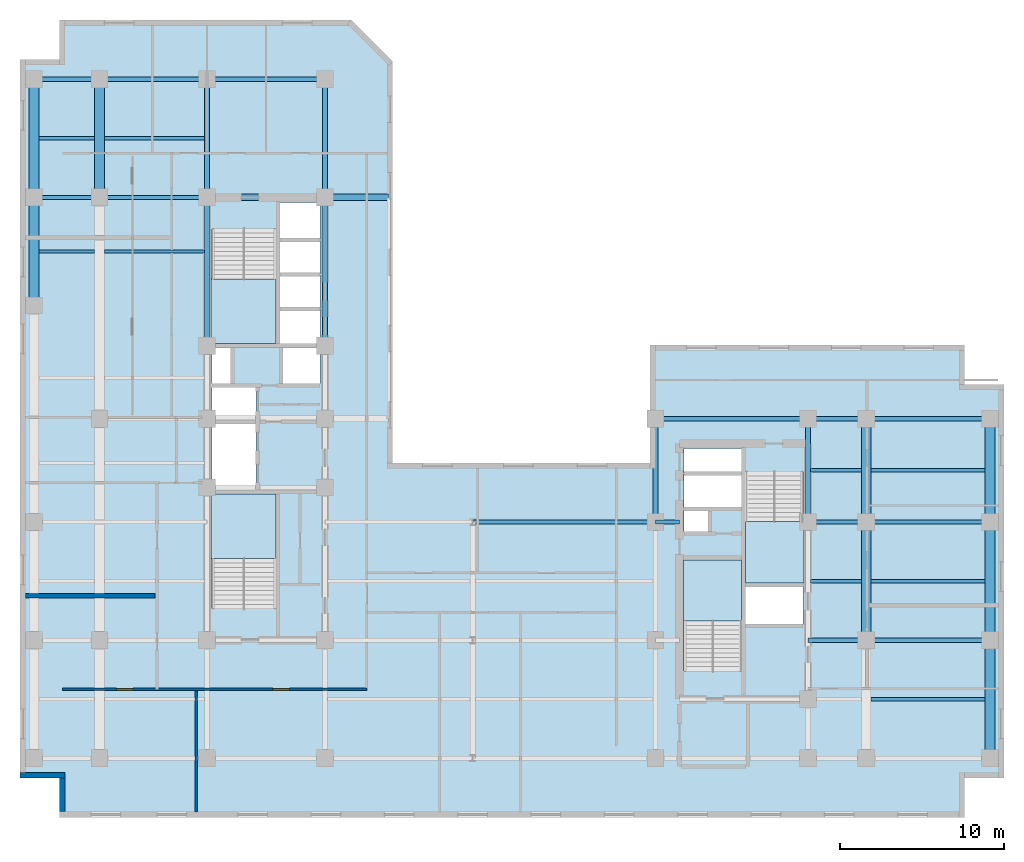
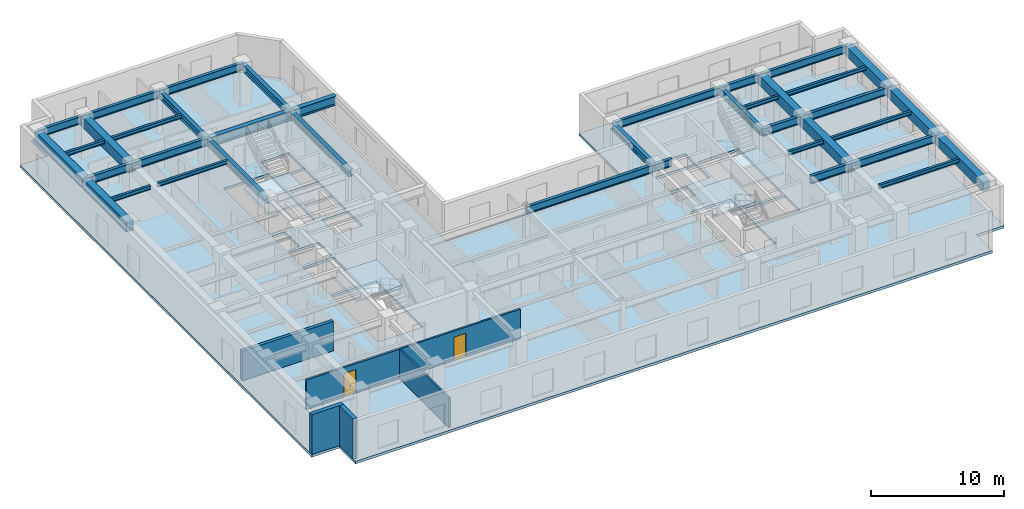
# One storey, part 2 of 10: 38 beams, 5 slabs, 5 walls, 2 doors, 2 openings, 4 elements without a shape of their own.
"""IFC4 building model written with IfcOpenShell, lengths in metres."""

from ifc_helpers import new_model, entity, si_unit, converted_unit, direction, frame, origin_with_axes, origin_2d_with_axis, place, context, subcontext, project, spatial, polyline, rectangle, i_section, outline, extrude, material, layer, layer_set, material_profile, profile_set, type_object, element, fill, aggregate, save


model = new_model("IFC4")

# Units and contexts
model_context = context("Model", 3, precision=1e-05, world=origin_with_axes(), true_north=direction((0.0, 1.0)))
body_context = subcontext(model_context, "Body", "Model", "MODEL_VIEW")
ifc_project = project(units=[si_unit("LENGTHUNIT", "METRE"), si_unit("AREAUNIT", "SQUARE_METRE"), si_unit("VOLUMEUNIT", "CUBIC_METRE"), converted_unit("PLANEANGLEUNIT", "DEGREE", entity("IfcPlaneAngleMeasure", 0.017453292519943295), si_unit("PLANEANGLEUNIT", "RADIAN"), dimensions=[0, 0, 0, 0, 0, 0, 0]), si_unit("MASSUNIT", "GRAM", prefix="KILO"), si_unit("THERMODYNAMICTEMPERATUREUNIT", "KELVIN")], contexts=[model_context])

# Site, building, storey
site_placement = place(None, origin_with_axes())
site = spatial("IfcSite", under=ifc_project, at=site_placement, CompositionType="ELEMENT")
building_placement = place(site_placement, origin_with_axes())
building = spatial("IfcBuilding", under=site, at=building_placement, Name="Varnlund Millrace Tower", CompositionType="ELEMENT")
storey_placement = place(building_placement, frame((0.0, 0.0, 152.4), z_axis=(0.0, 0.0, 1.0), x_axis=(1.0, 0.0, 0.0)))
storey = spatial("IfcBuildingStorey", under=building, at=storey_placement, Name="L37", CompositionType="ELEMENT", Elevation=152.4)

# Beams
ifc_material_1 = material(Name="Steel ASTM A992 Grade 50", Category="steel")
ifc_material_profile_1 = material_profile(ifc_material_1, i_section(OverallWidth=0.328, OverallDepth=0.628, WebThickness=0.0165, FlangeThickness=0.0277, FilletRadius=0.018, at=origin_2d_with_axis()), Name="Steel ASTM A992 Grade 50")
ifc_profile_set_1 = profile_set([ifc_material_profile_1], Name="Steel ASTM A992 Grade 50")
beam_type_1 = type_object("IfcBeamType", Name="Type-Girder-W24X146", PredefinedType="USERDEFINED", material=ifc_profile_set_1)
beam_1_placement = place(storey_placement, frame((11.4, 28.75, 3.346), z_axis=(0.0, 1.0, 0.0), x_axis=(-1.0, 0.0, 0.0)))
element("IfcBeam", 1, at=beam_1_placement, inside=storey, type_object=beam_type_1, Name="Type-Girder-W24X146", ObjectType="GIRDER", PredefinedType="USERDEFINED", context=body_context, shape_type="SweptSolid", body=[
    extrude(i_section(OverallWidth=0.328, OverallDepth=0.628, WebThickness=0.0165, FlangeThickness=0.0277, FilletRadius=0.018, at=origin_2d_with_axis()), origin_with_axes(), (0.0, 0.0, 1.0), 9.05),
])
beam_2_placement = place(storey_placement, frame((11.4, 37.8, 3.346), z_axis=(0.0, 1.0, 0.0), x_axis=(-1.0, 0.0, 0.0)))
element("IfcBeam", 2, at=beam_2_placement, inside=storey, type_object=beam_type_1, Name="Type-Girder-W24X146", ObjectType="GIRDER", PredefinedType="USERDEFINED", context=body_context, shape_type="SweptSolid", body=[
    extrude(i_section(OverallWidth=0.328, OverallDepth=0.628, WebThickness=0.0165, FlangeThickness=0.0277, FilletRadius=0.018, at=origin_2d_with_axis()), origin_with_axes(), (0.0, 0.0, 1.0), 7.2),
])
beam_3_placement = place(storey_placement, frame((18.6, 28.75, 3.346), z_axis=(0.0, 1.0, 0.0), x_axis=(-1.0, 0.0, 0.0)))
element("IfcBeam", 3, at=beam_3_placement, inside=storey, type_object=beam_type_1, Name="Type-Girder-W24X146", ObjectType="GIRDER", PredefinedType="USERDEFINED", context=body_context, shape_type="SweptSolid", body=[
    extrude(i_section(OverallWidth=0.328, OverallDepth=0.628, WebThickness=0.0165, FlangeThickness=0.0277, FilletRadius=0.018, at=origin_2d_with_axis()), origin_with_axes(), (0.0, 0.0, 1.0), 9.05),
])
beam_4_placement = place(storey_placement, frame((18.6, 37.8, 3.346), z_axis=(0.0, 1.0, 0.0), x_axis=(-1.0, 0.0, 0.0)))
element("IfcBeam", 4, at=beam_4_placement, inside=storey, type_object=beam_type_1, Name="Type-Girder-W24X146", ObjectType="GIRDER", PredefinedType="USERDEFINED", context=body_context, shape_type="SweptSolid", body=[
    extrude(i_section(OverallWidth=0.328, OverallDepth=0.628, WebThickness=0.0165, FlangeThickness=0.0277, FilletRadius=0.018, at=origin_2d_with_axis()), origin_with_axes(), (0.0, 0.0, 1.0), 7.2),
])
for number, where, z_axis, x_axis, name in (
    (5, (38.75, 18.0, 3.346), (0.0, 1.0, 0.0), (-1.0, 0.0, 0.0), "Type-Girder-W24X146"),
    (6, (48.05, 18.0, 3.346), (0.0, 1.0, 0.0), (-1.0, 0.0, 0.0), "Type-Girder-W24X146"),
):
    element("IfcBeam", number, at=place(storey_placement, frame(where, z_axis=z_axis, x_axis=x_axis)), inside=storey, type_object=beam_type_1, Name=name, ObjectType="GIRDER", PredefinedType="USERDEFINED", context=body_context, shape_type="SweptSolid", body=[
        extrude(i_section(OverallWidth=0.328, OverallDepth=0.628, WebThickness=0.0165, FlangeThickness=0.0277, FilletRadius=0.018, at=origin_2d_with_axis()), origin_with_axes(), (0.0, 0.0, 1.0), 6.3),
    ])
ifc_material_profile_2 = material_profile(ifc_material_1, i_section(OverallWidth=0.256, OverallDepth=0.693, WebThickness=0.0145, FlangeThickness=0.0236, FilletRadius=0.018, at=origin_2d_with_axis()), Name="Steel ASTM A992 Grade 50")
ifc_profile_set_2 = profile_set([ifc_material_profile_2], Name="Steel ASTM A992 Grade 50")
beam_type_2 = type_object("IfcBeamType", Name="Type-Girder-W27X114", PredefinedType="USERDEFINED", material=ifc_profile_set_2)
beam_5_placement = place(storey_placement, frame((48.05, 10.8, 3.3135), z_axis=(1.0, 0.0, 0.0), x_axis=(0.0, 1.0, 0.0)))
element("IfcBeam", 7, at=beam_5_placement, inside=storey, type_object=beam_type_2, Name="Type-Girder-W27X114", ObjectType="GIRDER", PredefinedType="USERDEFINED", context=body_context, shape_type="SweptSolid", body=[
    extrude(i_section(OverallWidth=0.256, OverallDepth=0.693, WebThickness=0.0145, FlangeThickness=0.0236, FilletRadius=0.018, at=origin_2d_with_axis()), origin_with_axes(), (0.0, 0.0, 1.0), 3.55),
])
beam_6_placement = place(storey_placement, frame((51.6, 10.8, 3.3135), z_axis=(1.0, 0.0, 0.0), x_axis=(0.0, 1.0, 0.0)))
element("IfcBeam", 8, at=beam_6_placement, inside=storey, type_object=beam_type_2, Name="Type-Girder-W27X114", ObjectType="GIRDER", PredefinedType="USERDEFINED", context=body_context, shape_type="SweptSolid", body=[
    extrude(i_section(OverallWidth=0.256, OverallDepth=0.693, WebThickness=0.0145, FlangeThickness=0.0236, FilletRadius=0.018, at=origin_2d_with_axis()), origin_with_axes(), (0.0, 0.0, 1.0), 7.55),
])
beam_7_placement = place(storey_placement, frame((27.6, 18.0, 3.3135), z_axis=(1.0, 0.0, 0.0), x_axis=(0.0, 1.0, 0.0)))
element("IfcBeam", 9, at=beam_7_placement, inside=storey, type_object=beam_type_2, Name="Type-Girder-W27X114", ObjectType="GIRDER", PredefinedType="USERDEFINED", context=body_context, shape_type="SweptSolid", body=[
    extrude(i_section(OverallWidth=0.256, OverallDepth=0.693, WebThickness=0.0145, FlangeThickness=0.0236, FilletRadius=0.018, at=origin_2d_with_axis()), origin_with_axes(), (0.0, 0.0, 1.0), 11.15),
])
beam_8_placement = place(storey_placement, frame((38.75, 18.0, 3.3135), z_axis=(1.0, 0.0, 0.0), x_axis=(0.0, 1.0, 0.0)))
element("IfcBeam", 10, at=beam_8_placement, inside=storey, type_object=beam_type_2, Name="Type-Girder-W27X114", ObjectType="GIRDER", PredefinedType="USERDEFINED", context=body_context, shape_type="SweptSolid", body=[
    extrude(i_section(OverallWidth=0.256, OverallDepth=0.693, WebThickness=0.0145, FlangeThickness=0.0236, FilletRadius=0.018, at=origin_2d_with_axis()), origin_with_axes(), (0.0, 0.0, 1.0), 1.45),
])
beam_9_placement = place(storey_placement, frame((48.05, 18.0, 3.3135), z_axis=(1.0, 0.0, 0.0), x_axis=(0.0, 1.0, 0.0)))
element("IfcBeam", 11, at=beam_9_placement, inside=storey, type_object=beam_type_2, Name="Type-Girder-W27X114", ObjectType="GIRDER", PredefinedType="USERDEFINED", context=body_context, shape_type="SweptSolid", body=[
    extrude(i_section(OverallWidth=0.256, OverallDepth=0.693, WebThickness=0.0145, FlangeThickness=0.0236, FilletRadius=0.018, at=origin_2d_with_axis()), origin_with_axes(), (0.0, 0.0, 1.0), 3.55),
])
beam_10_placement = place(storey_placement, frame((51.6, 18.0, 3.3135), z_axis=(1.0, 0.0, 0.0), x_axis=(0.0, 1.0, 0.0)))
element("IfcBeam", 12, at=beam_10_placement, inside=storey, type_object=beam_type_2, Name="Type-Girder-W27X114", ObjectType="GIRDER", PredefinedType="USERDEFINED", context=body_context, shape_type="SweptSolid", body=[
    extrude(i_section(OverallWidth=0.256, OverallDepth=0.693, WebThickness=0.0145, FlangeThickness=0.0236, FilletRadius=0.018, at=origin_2d_with_axis()), origin_with_axes(), (0.0, 0.0, 1.0), 7.55),
])
beam_11_placement = place(storey_placement, frame((38.75, 24.3, 3.3135), z_axis=(1.0, 0.0, 0.0), x_axis=(0.0, 1.0, 0.0)))
element("IfcBeam", 13, at=beam_11_placement, inside=storey, type_object=beam_type_2, Name="Type-Girder-W27X114", ObjectType="GIRDER", PredefinedType="USERDEFINED", context=body_context, shape_type="SweptSolid", body=[
    extrude(i_section(OverallWidth=0.256, OverallDepth=0.693, WebThickness=0.0145, FlangeThickness=0.0236, FilletRadius=0.018, at=origin_2d_with_axis()), origin_with_axes(), (0.0, 0.0, 1.0), 9.3),
])
beam_12_placement = place(storey_placement, frame((48.05, 24.3, 3.3135), z_axis=(1.0, 0.0, 0.0), x_axis=(0.0, 1.0, 0.0)))
element("IfcBeam", 14, at=beam_12_placement, inside=storey, type_object=beam_type_2, Name="Type-Girder-W27X114", ObjectType="GIRDER", PredefinedType="USERDEFINED", context=body_context, shape_type="SweptSolid", body=[
    extrude(i_section(OverallWidth=0.256, OverallDepth=0.693, WebThickness=0.0145, FlangeThickness=0.0236, FilletRadius=0.018, at=origin_2d_with_axis()), origin_with_axes(), (0.0, 0.0, 1.0), 3.55),
])
beam_13_placement = place(storey_placement, frame((51.6, 24.3, 3.3135), z_axis=(1.0, 0.0, 0.0), x_axis=(0.0, 1.0, 0.0)))
element("IfcBeam", 15, at=beam_13_placement, inside=storey, type_object=beam_type_2, Name="Type-Girder-W27X114", ObjectType="GIRDER", PredefinedType="USERDEFINED", context=body_context, shape_type="SweptSolid", body=[
    extrude(i_section(OverallWidth=0.256, OverallDepth=0.693, WebThickness=0.0145, FlangeThickness=0.0236, FilletRadius=0.018, at=origin_2d_with_axis()), origin_with_axes(), (0.0, 0.0, 1.0), 7.55),
])
beam_14_placement = place(storey_placement, frame((0.85, 37.8, 3.3135), z_axis=(1.0, 0.0, 0.0), x_axis=(0.0, 1.0, 0.0)))
element("IfcBeam", 16, at=beam_14_placement, inside=storey, type_object=beam_type_2, Name="Type-Girder-W27X114", ObjectType="GIRDER", PredefinedType="USERDEFINED", context=body_context, shape_type="SweptSolid", body=[
    extrude(i_section(OverallWidth=0.256, OverallDepth=0.693, WebThickness=0.0145, FlangeThickness=0.0236, FilletRadius=0.018, at=origin_2d_with_axis()), origin_with_axes(), (0.0, 0.0, 1.0), 4.0),
])
beam_15_placement = place(storey_placement, frame((4.85, 37.8, 3.3135), z_axis=(1.0, 0.0, 0.0), x_axis=(0.0, 1.0, 0.0)))
element("IfcBeam", 17, at=beam_15_placement, inside=storey, type_object=beam_type_2, Name="Type-Girder-W27X114", ObjectType="GIRDER", PredefinedType="USERDEFINED", context=body_context, shape_type="SweptSolid", body=[
    extrude(i_section(OverallWidth=0.256, OverallDepth=0.693, WebThickness=0.0145, FlangeThickness=0.0236, FilletRadius=0.018, at=origin_2d_with_axis()), origin_with_axes(), (0.0, 0.0, 1.0), 6.55),
])
beam_16_placement = place(storey_placement, frame((0.85, 45.0, 3.3135), z_axis=(1.0, 0.0, 0.0), x_axis=(0.0, 1.0, 0.0)))
element("IfcBeam", 18, at=beam_16_placement, inside=storey, type_object=beam_type_2, Name="Type-Girder-W27X114", ObjectType="GIRDER", PredefinedType="USERDEFINED", context=body_context, shape_type="SweptSolid", body=[
    extrude(i_section(OverallWidth=0.256, OverallDepth=0.693, WebThickness=0.0145, FlangeThickness=0.0236, FilletRadius=0.018, at=origin_2d_with_axis()), origin_with_axes(), (0.0, 0.0, 1.0), 4.0),
])
beam_17_placement = place(storey_placement, frame((4.85, 45.0, 3.3135), z_axis=(1.0, 0.0, 0.0), x_axis=(0.0, 1.0, 0.0)))
element("IfcBeam", 19, at=beam_17_placement, inside=storey, type_object=beam_type_2, Name="Type-Girder-W27X114", ObjectType="GIRDER", PredefinedType="USERDEFINED", context=body_context, shape_type="SweptSolid", body=[
    extrude(i_section(OverallWidth=0.256, OverallDepth=0.693, WebThickness=0.0145, FlangeThickness=0.0236, FilletRadius=0.018, at=origin_2d_with_axis()), origin_with_axes(), (0.0, 0.0, 1.0), 6.55),
])
beam_18_placement = place(storey_placement, frame((11.4, 45.0, 3.3135), z_axis=(1.0, 0.0, 0.0), x_axis=(0.0, 1.0, 0.0)))
element("IfcBeam", 20, at=beam_18_placement, inside=storey, type_object=beam_type_2, Name="Type-Girder-W27X114", ObjectType="GIRDER", PredefinedType="USERDEFINED", context=body_context, shape_type="SweptSolid", body=[
    extrude(i_section(OverallWidth=0.256, OverallDepth=0.693, WebThickness=0.0145, FlangeThickness=0.0236, FilletRadius=0.018, at=origin_2d_with_axis()), origin_with_axes(), (0.0, 0.0, 1.0), 7.2),
])
ifc_material_profile_3 = material_profile(ifc_material_1, i_section(OverallWidth=0.399, OverallDepth=0.855, WebThickness=0.0182, FlangeThickness=0.0292, FilletRadius=0.022, at=origin_2d_with_axis()), Name="Steel ASTM A992 Grade 50")
ifc_profile_set_3 = profile_set([ifc_material_profile_3], Name="Steel ASTM A992 Grade 50")
beam_type_3 = type_object("IfcBeamType", Name="Type-Girder-W33X201", PredefinedType="USERDEFINED", material=ifc_profile_set_3)
beam_19_placement = place(storey_placement, frame((11.4, 37.8, 3.2325), z_axis=(1.0, 0.0, 0.0), x_axis=(0.0, 1.0, 0.0)))
element("IfcBeam", 21, at=beam_19_placement, inside=storey, type_object=beam_type_3, Name="Type-Girder-W33X201", ObjectType="GIRDER", PredefinedType="USERDEFINED", context=body_context, shape_type="SweptSolid", body=[
    extrude(i_section(OverallWidth=0.399, OverallDepth=0.855, WebThickness=0.0182, FlangeThickness=0.0292, FilletRadius=0.022, at=origin_2d_with_axis()), origin_with_axes(), (0.0, 0.0, 1.0), 11.077),
])
ifc_material_profile_4 = material_profile(ifc_material_1, i_section(OverallWidth=0.204, OverallDepth=0.35, WebThickness=0.0086, FlangeThickness=0.0151, FilletRadius=0.013, at=origin_2d_with_axis()), Name="Steel ASTM A992 Grade 50")
ifc_profile_set_4 = profile_set([ifc_material_profile_4], Name="Steel ASTM A992 Grade 50")
beam_type_4 = type_object("IfcBeamType", Name="Type-Joist-W14X48", PredefinedType="JOIST", material=ifc_profile_set_4)
for number, where, z_axis, x_axis, name in (
    (22, (1.15, 34.5, 3.485), (1.0, 0.0, 0.0), (0.0, 1.0, 0.0), "Type-Joist-W14X48"),
    (23, (1.15, 41.4, 3.485), (1.0, 0.0, 0.0), (0.0, 1.0, 0.0), "Type-Joist-W14X48"),
):
    element("IfcBeam", number, at=place(storey_placement, frame(where, z_axis=z_axis, x_axis=x_axis)), inside=storey, type_object=beam_type_4, Name=name, PredefinedType="JOIST", context=body_context, shape_type="SweptSolid", body=[
        extrude(i_section(OverallWidth=0.204, OverallDepth=0.35, WebThickness=0.0086, FlangeThickness=0.0151, FilletRadius=0.013, at=origin_2d_with_axis()), origin_with_axes(), (0.0, 0.0, 1.0), 3.4),
    ])
for number, where, z_axis, x_axis, name in (
    (24, (5.15, 34.5, 3.485), (1.0, 0.0, 0.0), (0.0, 1.0, 0.0), "Type-Joist-W14X48"),
    (25, (5.15, 41.4, 3.485), (1.0, 0.0, 0.0), (0.0, 1.0, 0.0), "Type-Joist-W14X48"),
):
    element("IfcBeam", number, at=place(storey_placement, frame(where, z_axis=z_axis, x_axis=x_axis)), inside=storey, type_object=beam_type_4, Name=name, PredefinedType="JOIST", context=body_context, shape_type="SweptSolid", body=[
        extrude(i_section(OverallWidth=0.204, OverallDepth=0.35, WebThickness=0.0086, FlangeThickness=0.0151, FilletRadius=0.013, at=origin_2d_with_axis()), origin_with_axes(), (0.0, 0.0, 1.0), 6.086),
    ])
for number, where, z_axis, x_axis, name in (
    (26, (48.214, 14.4, 3.485), (1.0, 0.0, 0.0), (0.0, 1.0, 0.0), "Type-Joist-W14X48"),
    (27, (48.214, 21.15, 3.485), (1.0, 0.0, 0.0), (0.0, 1.0, 0.0), "Type-Joist-W14X48"),
):
    element("IfcBeam", number, at=place(storey_placement, frame(where, z_axis=z_axis, x_axis=x_axis)), inside=storey, type_object=beam_type_4, Name=name, PredefinedType="JOIST", context=body_context, shape_type="SweptSolid", body=[
        extrude(i_section(OverallWidth=0.204, OverallDepth=0.35, WebThickness=0.0086, FlangeThickness=0.0151, FilletRadius=0.013, at=origin_2d_with_axis()), origin_with_axes(), (0.0, 0.0, 1.0), 3.086),
    ])
for number, where, z_axis, x_axis, name in (
    (28, (51.9, 7.2, 3.485), (1.0, 0.0, 0.0), (0.0, 1.0, 0.0), "Type-Joist-W14X48"),
    (29, (51.9, 14.4, 3.485), (1.0, 0.0, 0.0), (0.0, 1.0, 0.0), "Type-Joist-W14X48"),
    (30, (51.9, 21.15, 3.485), (1.0, 0.0, 0.0), (0.0, 1.0, 0.0), "Type-Joist-W14X48"),
):
    element("IfcBeam", number, at=place(storey_placement, frame(where, z_axis=z_axis, x_axis=x_axis)), inside=storey, type_object=beam_type_4, Name=name, PredefinedType="JOIST", context=body_context, shape_type="SweptSolid", body=[
        extrude(i_section(OverallWidth=0.204, OverallDepth=0.35, WebThickness=0.0086, FlangeThickness=0.0151, FilletRadius=0.013, at=origin_2d_with_axis()), origin_with_axes(), (0.0, 0.0, 1.0), 6.95),
    ])
ifc_material_2 = material(Name="Concrete C70/85", Category="concrete")
ifc_material_profile_5 = material_profile(ifc_material_2, rectangle(XDim=0.6, YDim=0.9, at=origin_2d_with_axis()), Name="Concrete C70/85")
ifc_profile_set_5 = profile_set([ifc_material_profile_5], Name="Concrete C70/85")
beam_type_5 = type_object("IfcBeamType", Name="Type-Spandrel-RC600X900", PredefinedType="SPANDREL", material=ifc_profile_set_5)
beam_20_placement = place(storey_placement, frame((0.85, 31.2, 3.21), z_axis=(0.0, 1.0, 0.0), x_axis=(-1.0, 0.0, 0.0)))
element("IfcBeam", 31, at=beam_20_placement, inside=storey, type_object=beam_type_5, Name="Type-Spandrel-RC600X900", PredefinedType="SPANDREL", context=body_context, shape_type="SweptSolid", body=[
    extrude(rectangle(XDim=0.6, YDim=0.9, at=origin_2d_with_axis()), origin_with_axes(), (0.0, 0.0, 1.0), 6.6),
])
for number, where, z_axis, x_axis, name in (
    (32, (0.85, 37.8, 3.21), (0.0, 1.0, 0.0), (-1.0, 0.0, 0.0), "Type-Spandrel-RC600X900"),
    (33, (4.85, 37.8, 3.21), (0.0, 1.0, 0.0), (-1.0, 0.0, 0.0), "Type-Spandrel-RC600X900"),
    (34, (51.6, 10.8, 3.21), (0.0, 1.0, 0.0), (-1.0, 0.0, 0.0), "Type-Spandrel-RC600X900"),
):
    element("IfcBeam", number, at=place(storey_placement, frame(where, z_axis=z_axis, x_axis=x_axis)), inside=storey, type_object=beam_type_5, Name=name, PredefinedType="SPANDREL", context=body_context, shape_type="SweptSolid", body=[
        extrude(rectangle(XDim=0.6, YDim=0.9, at=origin_2d_with_axis()), origin_with_axes(), (0.0, 0.0, 1.0), 7.2),
    ])
beam_21_placement = place(storey_placement, frame((51.6, 18.0, 3.21), z_axis=(0.0, 1.0, 0.0), x_axis=(-1.0, 0.0, 0.0)))
element("IfcBeam", 35, at=beam_21_placement, inside=storey, type_object=beam_type_5, Name="Type-Spandrel-RC600X900", PredefinedType="SPANDREL", context=body_context, shape_type="SweptSolid", body=[
    extrude(rectangle(XDim=0.6, YDim=0.9, at=origin_2d_with_axis()), origin_with_axes(), (0.0, 0.0, 1.0), 6.3),
])
for number, where, z_axis, x_axis, name in (
    (36, (59.15, 3.6, 3.21), (0.0, 1.0, 0.0), (-1.0, 0.0, 0.0), "Type-Spandrel-RC600X900"),
    (37, (59.15, 10.8, 3.21), (0.0, 1.0, 0.0), (-1.0, 0.0, 0.0), "Type-Spandrel-RC600X900"),
):
    element("IfcBeam", number, at=place(storey_placement, frame(where, z_axis=z_axis, x_axis=x_axis)), inside=storey, type_object=beam_type_5, Name=name, PredefinedType="SPANDREL", context=body_context, shape_type="SweptSolid", body=[
        extrude(rectangle(XDim=0.6, YDim=0.9, at=origin_2d_with_axis()), origin_with_axes(), (0.0, 0.0, 1.0), 7.2),
    ])
beam_22_placement = place(storey_placement, frame((59.15, 18.0, 3.21), z_axis=(0.0, 1.0, 0.0), x_axis=(-1.0, 0.0, 0.0)))
element("IfcBeam", 38, at=beam_22_placement, inside=storey, type_object=beam_type_5, Name="Type-Spandrel-RC600X900", PredefinedType="SPANDREL", context=body_context, shape_type="SweptSolid", body=[
    extrude(rectangle(XDim=0.6, YDim=0.9, at=origin_2d_with_axis()), origin_with_axes(), (0.0, 0.0, 1.0), 6.3),
])

# Slab
ifc_material_3 = material(Name="Concrete C60/75", Category="concrete")
ifc_layer_1 = layer(ifc_material_3, 0.24, Name="Concrete C60/75")
ifc_layer_set_1 = layer_set([ifc_layer_1], Name="Concrete C60/75")
slab_type_1 = type_object("IfcSlabType", Name="Type-Deck-Plate-Typical-240", PredefinedType="FLOOR", material=ifc_layer_set_1)
slab_1_placement = place(storey_placement, frame((0.0, 0.0, -0.24), z_axis=(0.0, 0.0, 1.0), x_axis=(1.0, 0.0, 0.0)))
element("IfcSlab", 39, at=slab_1_placement, inside=storey, type_object=slab_type_1, Name="Type-Deck-Plate-Typical-240", PredefinedType="FLOOR", context=body_context, shape_type="SweptSolid", body=[
    extrude(outline(polyline([(22.727, 21.6), (22.727, 46.08), (20.207, 48.6), (2.4, 48.6), (2.4, 46.2), (0.0, 46.2), (0.0, 2.4), (2.4, 2.4), (2.4, 0.0), (57.6, 0.0), (57.6, 2.4), (60.0, 2.4), (60.0, 26.4), (57.6, 26.4), (57.6, 28.8), (38.4, 28.8), (38.4, 21.6), (22.727, 21.6)]), holes=[polyline([(15.6, 12.715), (11.7, 12.715), (11.7, 19.7), (15.6, 19.7), (15.6, 12.715)]), polyline([(14.38, 23.98), (14.38, 19.94), (11.7, 19.94), (11.7, 23.98), (14.38, 23.98)]), polyline([(14.38, 24.24), (11.7, 24.24), (11.7, 26.2), (14.38, 26.2), (14.38, 24.24)]), polyline([(12.84, 26.46), (11.7, 26.46), (11.7, 28.65), (12.84, 28.65), (12.84, 26.46)]), polyline([(18.3, 28.9), (15.84, 28.9), (15.84, 30.98), (18.3, 30.98), (18.3, 28.9)]), polyline([(18.3, 31.02), (15.84, 31.02), (15.84, 33.08), (18.3, 33.08), (18.3, 31.02)]), polyline([(15.6, 28.9), (11.7, 28.9), (11.7, 35.885), (15.6, 35.885), (15.6, 28.9)]), polyline([(18.3, 33.12), (15.84, 33.12), (15.84, 35.18), (18.3, 35.18), (18.3, 33.12)]), polyline([(44.0, 8.915), (40.5, 8.915), (40.5, 15.7), (44.0, 15.7), (44.0, 8.915)]), polyline([(47.75, 11.74), (44.25, 11.74), (44.25, 14.06), (47.75, 14.06), (47.75, 11.74)]), polyline([(47.75, 14.3), (44.25, 14.3), (44.25, 21.085), (47.75, 21.085), (47.75, 14.3)]), polyline([(41.95, 17.42), (40.5, 17.42), (40.5, 18.72), (41.95, 18.72), (41.95, 17.42)]), polyline([(44.0, 18.88), (40.5, 18.88), (40.5, 20.94), (44.0, 20.94), (44.0, 18.88)]), polyline([(44.0, 21.0), (40.5, 21.0), (40.5, 22.5), (44.0, 22.5), (44.0, 21.0)]), polyline([(16.04, 26.46), (16.04, 28.65), (18.3, 28.65), (18.3, 26.46), (16.04, 26.46)]), polyline([(15.84, 35.22), (15.84, 37.5), (18.3, 37.5), (18.3, 35.22), (15.84, 35.22)])]), origin_with_axes(), (0.0, 0.0, 1.0), 0.24),
])

# Stair, slab
ifc_material_4 = material(Name="Concrete C50/60", Category="concrete")
stair_type_1 = type_object("IfcStairType", Name="Type-Stair-Dogleg-185-390", PredefinedType="HALF_TURN_STAIR", material=ifc_material_4)
stair_1_placement = place(storey_placement, origin_with_axes())
stair_1 = element("IfcStair", 40, at=stair_1_placement, inside=storey, type_object=stair_type_1, Name="Type-Stair-Dogleg-185-390", PredefinedType="HALF_TURN_STAIR")
ifc_layer_2 = layer(ifc_material_4, 0.2, Name="Concrete C50/60")
ifc_layer_set_2 = layer_set([ifc_layer_2], Name="Concrete C50/60")
slab_type_2 = type_object("IfcSlabType", Name="Type-StairLanding-200", PredefinedType="LANDING", material=ifc_layer_set_2)
slab_2_placement = place(storey_placement, frame((0.0, 0.0, 1.75), z_axis=(0.0, 0.0, 1.0), x_axis=(1.0, 0.0, 0.0)))
slab_2 = element("IfcSlab", 41, at=slab_2_placement, type_object=slab_type_2, Name="ST-A1 landing 1", PredefinedType="LANDING", context=body_context, shape_type="SweptSolid", body=[
    extrude(outline(polyline([(15.6, 15.78), (15.6, 19.7), (11.65, 19.7), (11.65, 15.78), (15.6, 15.78)])), origin_with_axes(), (0.0, 0.0, 1.0), 0.2),
])
aggregate(stair_1, [slab_2])

stair_2_placement = place(storey_placement, origin_with_axes())
stair_2 = element("IfcStair", 42, at=stair_2_placement, inside=storey, type_object=stair_type_1, Name="Type-Stair-Dogleg-185-390", PredefinedType="HALF_TURN_STAIR")
slab_3_placement = place(storey_placement, frame((0.0, 0.0, 1.75), z_axis=(0.0, 0.0, 1.0), x_axis=(1.0, 0.0, 0.0)))
slab_3 = element("IfcSlab", 43, at=slab_3_placement, type_object=slab_type_2, Name="ST-A2 landing 1", PredefinedType="LANDING", context=body_context, shape_type="SweptSolid", body=[
    extrude(outline(polyline([(11.65, 32.82), (11.65, 28.9), (15.6, 28.9), (15.6, 32.82), (11.65, 32.82)])), origin_with_axes(), (0.0, 0.0, 1.0), 0.2),
])
aggregate(stair_2, [slab_3])

stair_type_2 = type_object("IfcStairType", Name="Type-Stair-Dogleg-165-390", PredefinedType="HALF_TURN_STAIR", material=ifc_material_4)
stair_3_placement = place(storey_placement, origin_with_axes())
stair_3 = element("IfcStair", 44, at=stair_3_placement, inside=storey, type_object=stair_type_2, Name="Type-Stair-Dogleg-165-390", PredefinedType="HALF_TURN_STAIR")
slab_4_placement = place(storey_placement, frame((0.0, 0.0, 1.75), z_axis=(0.0, 0.0, 1.0), x_axis=(1.0, 0.0, 0.0)))
slab_4 = element("IfcSlab", 45, at=slab_4_placement, type_object=slab_type_2, Name="ST-B1 landing 1", PredefinedType="LANDING", context=body_context, shape_type="SweptSolid", body=[
    extrude(outline(polyline([(44.0, 11.98), (44.0, 15.7), (40.45, 15.7), (40.45, 11.98), (44.0, 11.98)])), origin_with_axes(), (0.0, 0.0, 1.0), 0.2),
])
aggregate(stair_3, [slab_4])

stair_4_placement = place(storey_placement, origin_with_axes())
stair_4 = element("IfcStair", 46, at=stair_4_placement, inside=storey, type_object=stair_type_2, Name="Type-Stair-Dogleg-165-390", PredefinedType="HALF_TURN_STAIR")
slab_5_placement = place(storey_placement, frame((0.0, 0.0, 1.75), z_axis=(0.0, 0.0, 1.0), x_axis=(1.0, 0.0, 0.0)))
slab_5 = element("IfcSlab", 47, at=slab_5_placement, type_object=slab_type_2, Name="ST-B2 landing 1", PredefinedType="LANDING", context=body_context, shape_type="SweptSolid", body=[
    extrude(outline(polyline([(44.25, 18.02), (44.25, 14.3), (47.8, 14.3), (47.8, 18.02), (44.25, 18.02)])), origin_with_axes(), (0.0, 0.0, 1.0), 0.2),
])
aggregate(stair_4, [slab_5])

# Walls
ifc_material_5 = material(Name="Precast concrete C50/60", Category="concrete")
ifc_layer_3 = layer(ifc_material_5, 0.34, Name="Precast concrete C50/60")
ifc_layer_set_3 = layer_set([ifc_layer_3], Name="Precast concrete C50/60")
wall_type_1 = type_object("IfcWallType", Name="Type-ExtWall-Precast-Upper-340", PredefinedType="SOLIDWALL", material=ifc_layer_set_3)
wall_1_placement = place(storey_placement, frame((2.57, 0.34, 0.0), z_axis=(0.0, 0.0, 1.0), x_axis=(0.0, 1.0, 0.0)))
element("IfcWall", 48, at=wall_1_placement, inside=storey, type_object=wall_type_1, Name="Type-ExtWall-Precast-Upper-340", PredefinedType="SOLIDWALL", context=body_context, shape_type="SweptSolid", body=[
    extrude(outline(polyline([(0.0, -0.17), (2.06, -0.17), (2.06, 0.17), (0.0, 0.17), (0.0, -0.17)])), origin_with_axes(), (0.0, 0.0, 1.0), 3.66),
])
wall_2_placement = place(storey_placement, frame((2.74, 2.57, 0.0), z_axis=(0.0, 0.0, 1.0), x_axis=(-1.0, 0.0, 0.0)))
element("IfcWall", 49, at=wall_2_placement, inside=storey, type_object=wall_type_1, Name="Type-ExtWall-Precast-Upper-340", PredefinedType="SOLIDWALL", context=body_context, shape_type="SweptSolid", body=[
    extrude(outline(polyline([(0.0, -0.17), (2.74, -0.17), (2.74, 0.17), (0.0, 0.17), (0.0, -0.17)])), origin_with_axes(), (0.0, 0.0, 1.0), 3.66),
])
ifc_material_6 = material(Name="Double-stud STC-60 conference acoustic partition", Category="gypsum")
ifc_layer_4 = layer(ifc_material_6, 0.28, Name="Double-stud STC-60 conference acoustic partition")
ifc_layer_set_4 = layer_set([ifc_layer_4], Name="Double-stud STC-60 conference acoustic partition")
wall_type_2 = type_object("IfcWallType", Name="Type-Partition-Acoustic-280", PredefinedType="PARTITIONING", material=ifc_layer_set_4)
wall_3_placement = place(storey_placement, frame((0.335, 13.51, 0.0), z_axis=(0.0, 0.0, 1.0), x_axis=(1.0, 0.0, 0.0)))
element("IfcWall", 50, at=wall_3_placement, inside=storey, type_object=wall_type_2, Name="Type-Partition-Acoustic-280", PredefinedType="PARTITIONING", context=body_context, shape_type="SweptSolid", body=[
    extrude(outline(polyline([(0.0, -0.14), (7.895, -0.14), (7.895, 0.14), (0.0, 0.14), (0.0, -0.14)])), origin_with_axes(), (0.0, 0.0, 1.0), 2.7),
])

# Wall, openings, doors
ifc_material_7 = material(Name="Fire-rated gypsum board on cold-formed steel framing", Category="steel")
ifc_layer_5 = layer(ifc_material_7, 0.16, Name="Fire-rated gypsum board on cold-formed steel framing")
ifc_layer_set_5 = layer_set([ifc_layer_5], Name="Fire-rated gypsum board on cold-formed steel framing")
wall_type_3 = type_object("IfcWallType", Name="Type-Partition-Corridor-160", PredefinedType="PARTITIONING", material=ifc_layer_set_5)
wall_4_placement = place(storey_placement, frame((2.6, 7.8, 0.0), z_axis=(0.0, 0.0, 1.0), x_axis=(1.0, 0.0, 0.0)))
wall_4 = element("IfcWall", 51, at=wall_4_placement, inside=storey, type_object=wall_type_3, Name="Type-Partition-Corridor-160", PredefinedType="PARTITIONING", context=body_context, shape_type="SweptSolid", body=[
    extrude(outline(polyline([(0.0, -0.08), (18.55, -0.08), (18.55, 0.08), (0.0, 0.08), (0.0, -0.08)])), origin_with_axes(), (0.0, 0.0, 1.0), 2.7),
])
opening_1_placement = place(wall_4_placement, frame((3.787, 0.0, 0.0), z_axis=(0.0, 0.0, 1.0), x_axis=(1.0, 0.0, 0.0)))
opening_1 = element("IfcOpeningElement", 52, at=opening_1_placement, cuts=wall_4, Name="Opening L37:DR-WAS-01", PredefinedType="OPENING", context=body_context, shape_type="SweptSolid", body=[
    extrude(rectangle(XDim=1.0, YDim=0.18, at=origin_2d_with_axis()), origin_with_axes(), (0.0, 0.0, 1.0), 2.15),
])
opening_2_placement = place(wall_4_placement, frame((13.322, 0.0, 0.0), z_axis=(0.0, 0.0, 1.0), x_axis=(1.0, 0.0, 0.0)))
opening_2 = element("IfcOpeningElement", 53, at=opening_2_placement, cuts=wall_4, Name="Opening L37:DR-WAS-02", PredefinedType="OPENING", context=body_context, shape_type="SweptSolid", body=[
    extrude(rectangle(XDim=1.0, YDim=0.18, at=origin_2d_with_axis()), origin_with_axes(), (0.0, 0.0, 1.0), 2.15),
])
ifc_material_8 = material(Name="Solid-core white oak and bronze frame door")
door_type = type_object("IfcDoorType", Name="Type-IntDoor-Office-1000X2150", OperationType="NOTDEFINED", PredefinedType="DOOR", material=ifc_material_8)
door_1_placement = place(wall_4_placement, frame((3.787, 0.0, 0.0), z_axis=(0.0, 0.0, 1.0), x_axis=(1.0, 0.0, 0.0)))
door_1 = element("IfcDoor", 54, at=door_1_placement, inside=storey, type_object=door_type, Name="Type-IntDoor-Office-1000X2150", OperationType="SINGLE_SWING_LEFT", OverallHeight=2.15, OverallWidth=1.0, PredefinedType="DOOR", context=body_context, shape_type="SweptSolid", body=[
    extrude(rectangle(XDim=1.0, YDim=0.09, at=origin_2d_with_axis()), origin_with_axes(), (0.0, 0.0, 1.0), 2.15),
])
fill(opening_1, door_1)
door_2_placement = place(wall_4_placement, frame((13.322, 0.0, 0.0), z_axis=(0.0, 0.0, 1.0), x_axis=(1.0, 0.0, 0.0)))
door_2 = element("IfcDoor", 55, at=door_2_placement, inside=storey, type_object=door_type, Name="Type-IntDoor-Office-1000X2150", OperationType="SINGLE_SWING_RIGHT", OverallHeight=2.15, OverallWidth=1.0, PredefinedType="DOOR", context=body_context, shape_type="SweptSolid", body=[
    extrude(rectangle(XDim=1.0, YDim=0.09, at=origin_2d_with_axis()), origin_with_axes(), (0.0, 0.0, 1.0), 2.15),
])
fill(opening_2, door_2)

# Wall
ifc_material_9 = material(Name="Acoustic STC-50 gypsum board partition", Category="gypsum")
ifc_layer_6 = layer(ifc_material_9, 0.15, Name="Acoustic STC-50 gypsum board partition")
ifc_layer_set_6 = layer_set([ifc_layer_6], Name="Acoustic STC-50 gypsum board partition")
wall_type_4 = type_object("IfcWallType", Name="Type-Partition-Demising-150", PredefinedType="PARTITIONING", material=ifc_layer_set_6)
wall_5_placement = place(storey_placement, frame((10.744, 0.335, 0.0), z_axis=(0.0, 0.0, 1.0), x_axis=(0.0, 1.0, 0.0)))
element("IfcWall", 56, at=wall_5_placement, inside=storey, type_object=wall_type_4, Name="Type-Partition-Demising-150", PredefinedType="PARTITIONING", context=body_context, shape_type="SweptSolid", body=[
    extrude(outline(polyline([(0.0, -0.075), (7.365, -0.075), (7.365, 0.075), (0.0, 0.075), (0.0, -0.075)])), origin_with_axes(), (0.0, 0.0, 1.0), 2.7),
])

save(model, "model.ifc")
